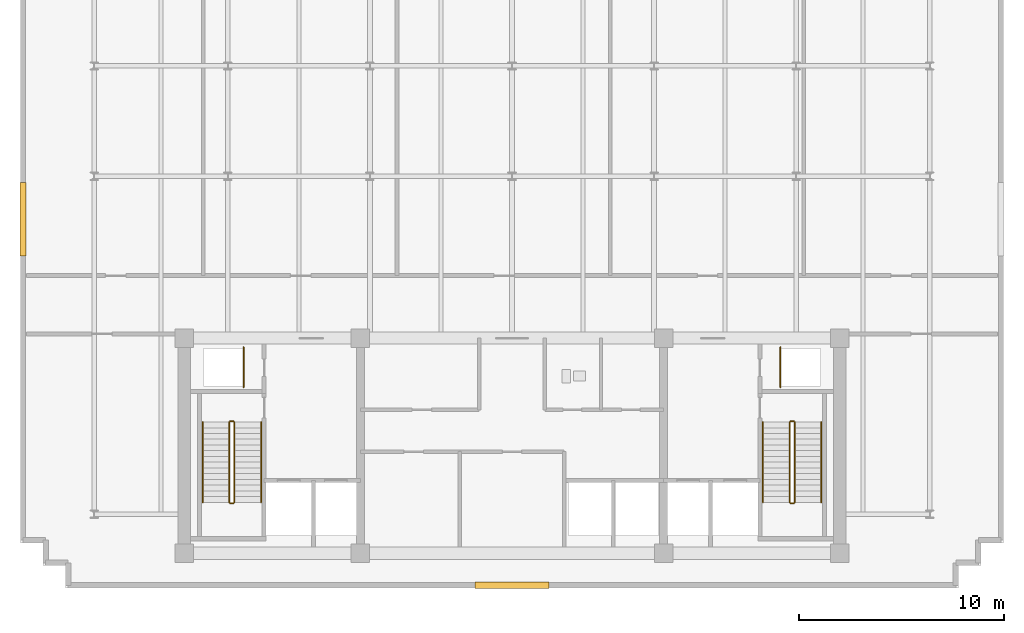
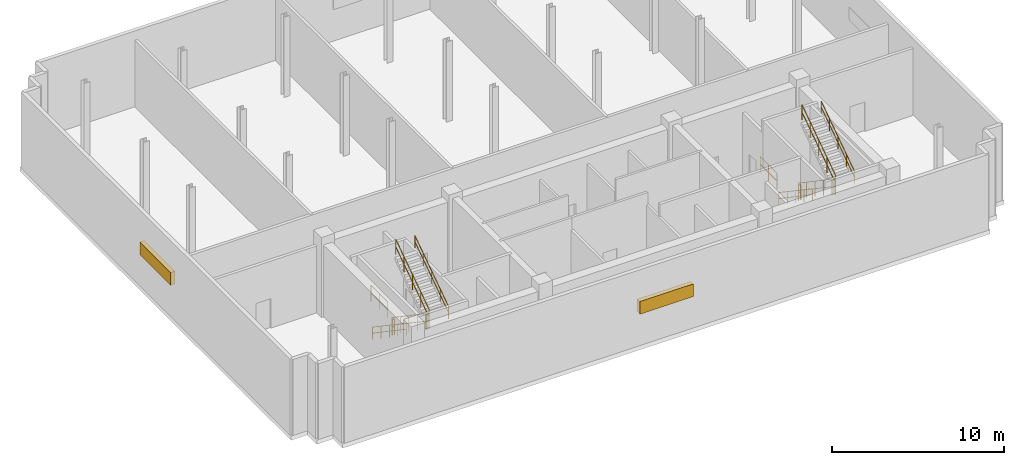
# One storey, part 5 of 7: 14 railings, 2 shading devices.
"""IFC4 building model written with IfcOpenShell, lengths in metres."""

from ifc_helpers import new_model, si_unit, direction, frame, origin, origin_2d, place, context, subcontext, project, spatial, rectangle, circle, extrude, material, layer, layer_set, type_object, element, save


model = new_model("IFC4")

# Units and contexts
model_context = context("Model", 3, precision=1e-05, world=origin(), true_north=direction((0.0, 1.0)))
body_context = subcontext(model_context, "Body", "Model", "MODEL_VIEW")
ifc_project = project(units=[si_unit("LENGTHUNIT", "METRE"), si_unit("AREAUNIT", "SQUARE_METRE"), si_unit("VOLUMEUNIT", "CUBIC_METRE"), si_unit("PLANEANGLEUNIT", "RADIAN"), si_unit("MASSUNIT", "GRAM", prefix="KILO")], contexts=[model_context])

# Site, building, storey
site_placement = place(None, origin())
site = spatial("IfcSite", under=ifc_project, at=site_placement, CompositionType="ELEMENT")
building_placement = place(site_placement, origin())
building = spatial("IfcBuilding", under=site, at=building_placement, Name="Solmavex Isthmus Hotel", CompositionType="ELEMENT")
storey_placement = place(building_placement, frame((0.0, 0.0, 291.300048828125)))
storey = spatial("IfcBuildingStorey", under=building, at=storey_placement, Name="L79", CompositionType="ELEMENT", Elevation=291.300048828125)

# Railings
ifc_material_1 = material(Name="Clear low-E laminated glass", Category="glass")
ifc_layer_1 = layer(ifc_material_1, 0.080078125)
ifc_layer_set_1 = layer_set([ifc_layer_1], Name="Clear low-E laminated glass")
railing_type_1 = type_object("IfcRailingType", Name="RAIL-ATRIUM-1120", PredefinedType="BALUSTRADE", material=ifc_layer_set_1)
for number, where, name in (
    (1, (-13.10009765625, -4.89990234375, 0.0), "Guardrail Balustrade L79-RSW-01"),
    (2, (13.10009765625, -4.89990234375, 0.0), "Guardrail Balustrade L79-RSE-01"),
):
    element("IfcRailing", number, at=place(storey_placement, frame(where)), inside=storey, type_object=railing_type_1, Name=name, PredefinedType="BALUSTRADE", context=body_context, shape_type="SweptSolid", body=[
        extrude(circle(Radius=0.02392578125, at=origin_2d()), frame((0.0, 0.0, 1.1259765625), z_axis=(0.0, 1.0, 0.0), x_axis=(-1.0, 0.0, 0.0)), (0.0, 0.0, 1.0), 1.949951171875),
        extrude(circle(Radius=0.02392578125, at=origin_2d()), frame((0.0, 0.0, 0.574951171875), z_axis=(0.0, 1.0, 0.0), x_axis=(-1.0, 0.0, 0.0)), (0.0, 0.0, 1.0), 1.949951171875),
        extrude(circle(Radius=0.02099609375, at=origin_2d()), origin(), (0.0, 0.0, 1.0), 1.101806640625),
        extrude(circle(Radius=0.02099609375, at=origin_2d()), frame((0.0, 0.97509765625, 0.0)), (0.0, 0.0, 1.0), 1.101806640625),
        extrude(circle(Radius=0.02099609375, at=origin_2d()), frame((0.0, 1.949951171875, 0.0)), (0.0, 0.0, 1.0), 1.101806640625),
    ])
ifc_material_2 = material(Name="Stainless steel 316", Category="steel")
ifc_layer_2 = layer(ifc_material_2, 0.06005859375)
ifc_layer_set_2 = layer_set([ifc_layer_2], Name="Stainless steel 316")
railing_type_2 = type_object("IfcRailingType", Name="RAIL-STAIR-GD", PredefinedType="GUARDRAIL", material=ifc_layer_set_2)
railing_1_placement = place(storey_placement, frame((-13.800048828125, -6.60009765625, 0.18994140625)))
element("IfcRailing", 3, at=railing_1_placement, inside=storey, type_object=railing_type_2, Name="L79 ST-1 stair guard 1", PredefinedType="GUARDRAIL", context=body_context, shape_type="SweptSolid", body=[
    extrude(circle(Radius=0.02392578125, at=origin_2d()), frame((0.0, 0.0, 1.09619140625), z_axis=(0.0, -0.827479195178, 0.561496377146), x_axis=(1.0, 0.0, 0.0)), (0.0, 0.0, 1.0), 4.7373046875),
    extrude(circle(Radius=0.02392578125, at=origin_2d()), frame((0.0, 0.0, 0.56005859375), z_axis=(0.0, -0.827479195178, 0.561496377146), x_axis=(1.0, 0.0, 0.0)), (0.0, 0.0, 1.0), 4.7373046875),
    extrude(circle(Radius=0.02099609375, at=origin_2d()), origin(), (0.0, 0.0, 1.0), 1.072021484375),
    extrude(circle(Radius=0.02099609375, at=origin_2d()), frame((0.0, -0.97998046875, 0.6650390625)), (0.0, 0.0, 1.0), 1.072021484375),
    extrude(circle(Radius=0.02099609375, at=origin_2d()), frame((0.0, -1.9599609375, 1.330078125)), (0.0, 0.0, 1.0), 1.072021484375),
    extrude(circle(Radius=0.02099609375, at=origin_2d()), frame((0.0, -2.93994140625, 1.994873046875)), (0.0, 0.0, 1.0), 1.072021484375),
    extrude(circle(Radius=0.02099609375, at=origin_2d()), frame((0.0, -3.919921875, 2.659912109375)), (0.0, 0.0, 1.0), 1.072021484375),
])
railing_2_placement = place(storey_placement, frame((-13.75, -10.570068359375, 2.849853515625)))
element("IfcRailing", 4, at=railing_2_placement, inside=storey, type_object=railing_type_2, Name="L79 ST-1 stair guard 2", PredefinedType="GUARDRAIL", context=body_context, shape_type="SweptSolid", body=[
    extrude(circle(Radius=0.02392578125, at=origin_2d()), frame((0.0, 0.0, 1.09619140625), z_axis=(1.0, 0.0, 0.0), x_axis=(0.0, 1.0, 0.0)), (0.0, 0.0, 1.0), 0.14990234375),
    extrude(circle(Radius=0.02392578125, at=origin_2d()), frame((0.0, 0.0, 0.56005859375), z_axis=(1.0, 0.0, 0.0), x_axis=(0.0, 1.0, 0.0)), (0.0, 0.0, 1.0), 0.14990234375),
    extrude(circle(Radius=0.02099609375, at=origin_2d()), origin(), (0.0, 0.0, 1.0), 1.072021484375),
    extrude(circle(Radius=0.02099609375, at=origin_2d()), frame((0.14990234375, 0.0, 0.0)), (0.0, 0.0, 1.0), 1.072021484375),
])
railing_3_placement = place(storey_placement, frame((-13.550048828125, -10.52001953125, 3.0400390625)))
element("IfcRailing", 5, at=railing_3_placement, inside=storey, type_object=railing_type_2, Name="L79 ST-1 stair guard 3", PredefinedType="GUARDRAIL", context=body_context, shape_type="SweptSolid", body=[
    extrude(circle(Radius=0.02392578125, at=origin_2d()), frame((0.0, 0.0, 1.09619140625), z_axis=(0.0, 0.827479195178, 0.561496377146), x_axis=(-1.0, 0.0, 0.0)), (0.0, 0.0, 1.0), 4.7373046875),
    extrude(circle(Radius=0.02392578125, at=origin_2d()), frame((0.0, 0.0, 0.56005859375), z_axis=(0.0, 0.827479195178, 0.561496377146), x_axis=(-1.0, 0.0, 0.0)), (0.0, 0.0, 1.0), 4.7373046875),
    extrude(circle(Radius=0.02099609375, at=origin_2d()), origin(), (0.0, 0.0, 1.0), 1.072021484375),
    extrude(circle(Radius=0.02099609375, at=origin_2d()), frame((0.0, 0.97998046875, 0.6650390625)), (0.0, 0.0, 1.0), 1.072021484375),
    extrude(circle(Radius=0.02099609375, at=origin_2d()), frame((0.0, 1.9599609375, 1.330078125)), (0.0, 0.0, 1.0), 1.072021484375),
    extrude(circle(Radius=0.02099609375, at=origin_2d()), frame((0.0, 2.93994140625, 1.994873046875)), (0.0, 0.0, 1.0), 1.072021484375),
    extrude(circle(Radius=0.02099609375, at=origin_2d()), frame((0.0, 3.919921875, 2.659912109375)), (0.0, 0.0, 1.0), 1.072021484375),
])
railing_4_placement = place(storey_placement, frame((-13.75, -6.550048828125, 0.0)))
element("IfcRailing", 6, at=railing_4_placement, inside=storey, type_object=railing_type_2, Name="L79 ST-1 stair guard 4", PredefinedType="GUARDRAIL", context=body_context, shape_type="SweptSolid", body=[
    extrude(circle(Radius=0.02392578125, at=origin_2d()), frame((0.0, 0.0, 1.09619140625), z_axis=(1.0, 0.0, 0.0), x_axis=(0.0, 1.0, 0.0)), (0.0, 0.0, 1.0), 0.14990234375),
    extrude(circle(Radius=0.02392578125, at=origin_2d()), frame((0.0, 0.0, 0.56005859375), z_axis=(1.0, 0.0, 0.0), x_axis=(0.0, 1.0, 0.0)), (0.0, 0.0, 1.0), 0.14990234375),
    extrude(circle(Radius=0.02099609375, at=origin_2d()), origin(), (0.0, 0.0, 1.0), 1.072021484375),
    extrude(circle(Radius=0.02099609375, at=origin_2d()), frame((0.14990234375, 0.0, 0.0)), (0.0, 0.0, 1.0), 1.072021484375),
])
railing_5_placement = place(storey_placement, frame((13.550048828125, -6.60009765625, 0.18994140625)))
element("IfcRailing", 7, at=railing_5_placement, inside=storey, type_object=railing_type_2, Name="L79 ST-2 stair guard 1", PredefinedType="GUARDRAIL", context=body_context, shape_type="SweptSolid", body=[
    extrude(circle(Radius=0.02392578125, at=origin_2d()), frame((0.0, 0.0, 1.09619140625), z_axis=(0.0, -0.827479195178, 0.561496377146), x_axis=(1.0, 0.0, 0.0)), (0.0, 0.0, 1.0), 4.7373046875),
    extrude(circle(Radius=0.02392578125, at=origin_2d()), frame((0.0, 0.0, 0.56005859375), z_axis=(0.0, -0.827479195178, 0.561496377146), x_axis=(1.0, 0.0, 0.0)), (0.0, 0.0, 1.0), 4.7373046875),
    extrude(circle(Radius=0.02099609375, at=origin_2d()), origin(), (0.0, 0.0, 1.0), 1.072021484375),
    extrude(circle(Radius=0.02099609375, at=origin_2d()), frame((0.0, -0.97998046875, 0.6650390625)), (0.0, 0.0, 1.0), 1.072021484375),
    extrude(circle(Radius=0.02099609375, at=origin_2d()), frame((0.0, -1.9599609375, 1.330078125)), (0.0, 0.0, 1.0), 1.072021484375),
    extrude(circle(Radius=0.02099609375, at=origin_2d()), frame((0.0, -2.93994140625, 1.994873046875)), (0.0, 0.0, 1.0), 1.072021484375),
    extrude(circle(Radius=0.02099609375, at=origin_2d()), frame((0.0, -3.919921875, 2.659912109375)), (0.0, 0.0, 1.0), 1.072021484375),
])
railing_6_placement = place(storey_placement, frame((13.60009765625, -10.570068359375, 2.849853515625)))
element("IfcRailing", 8, at=railing_6_placement, inside=storey, type_object=railing_type_2, Name="L79 ST-2 stair guard 2", PredefinedType="GUARDRAIL", context=body_context, shape_type="SweptSolid", body=[
    extrude(circle(Radius=0.02392578125, at=origin_2d()), frame((0.0, 0.0, 1.09619140625), z_axis=(1.0, 0.0, 0.0), x_axis=(0.0, 1.0, 0.0)), (0.0, 0.0, 1.0), 0.14990234375),
    extrude(circle(Radius=0.02392578125, at=origin_2d()), frame((0.0, 0.0, 0.56005859375), z_axis=(1.0, 0.0, 0.0), x_axis=(0.0, 1.0, 0.0)), (0.0, 0.0, 1.0), 0.14990234375),
    extrude(circle(Radius=0.02099609375, at=origin_2d()), origin(), (0.0, 0.0, 1.0), 1.072021484375),
    extrude(circle(Radius=0.02099609375, at=origin_2d()), frame((0.14990234375, 0.0, 0.0)), (0.0, 0.0, 1.0), 1.072021484375),
])
railing_7_placement = place(storey_placement, frame((13.800048828125, -10.52001953125, 3.0400390625)))
element("IfcRailing", 9, at=railing_7_placement, inside=storey, type_object=railing_type_2, Name="L79 ST-2 stair guard 3", PredefinedType="GUARDRAIL", context=body_context, shape_type="SweptSolid", body=[
    extrude(circle(Radius=0.02392578125, at=origin_2d()), frame((0.0, 0.0, 1.09619140625), z_axis=(0.0, 0.827479195178, 0.561496377146), x_axis=(-1.0, 0.0, 0.0)), (0.0, 0.0, 1.0), 4.7373046875),
    extrude(circle(Radius=0.02392578125, at=origin_2d()), frame((0.0, 0.0, 0.56005859375), z_axis=(0.0, 0.827479195178, 0.561496377146), x_axis=(-1.0, 0.0, 0.0)), (0.0, 0.0, 1.0), 4.7373046875),
    extrude(circle(Radius=0.02099609375, at=origin_2d()), origin(), (0.0, 0.0, 1.0), 1.072021484375),
    extrude(circle(Radius=0.02099609375, at=origin_2d()), frame((0.0, 0.97998046875, 0.6650390625)), (0.0, 0.0, 1.0), 1.072021484375),
    extrude(circle(Radius=0.02099609375, at=origin_2d()), frame((0.0, 1.9599609375, 1.330078125)), (0.0, 0.0, 1.0), 1.072021484375),
    extrude(circle(Radius=0.02099609375, at=origin_2d()), frame((0.0, 2.93994140625, 1.994873046875)), (0.0, 0.0, 1.0), 1.072021484375),
    extrude(circle(Radius=0.02099609375, at=origin_2d()), frame((0.0, 3.919921875, 2.659912109375)), (0.0, 0.0, 1.0), 1.072021484375),
])
railing_8_placement = place(storey_placement, frame((13.60009765625, -6.550048828125, 0.0)))
element("IfcRailing", 10, at=railing_8_placement, inside=storey, type_object=railing_type_2, Name="L79 ST-2 stair guard 4", PredefinedType="GUARDRAIL", context=body_context, shape_type="SweptSolid", body=[
    extrude(circle(Radius=0.02392578125, at=origin_2d()), frame((0.0, 0.0, 1.09619140625), z_axis=(1.0, 0.0, 0.0), x_axis=(0.0, 1.0, 0.0)), (0.0, 0.0, 1.0), 0.14990234375),
    extrude(circle(Radius=0.02392578125, at=origin_2d()), frame((0.0, 0.0, 0.56005859375), z_axis=(1.0, 0.0, 0.0), x_axis=(0.0, 1.0, 0.0)), (0.0, 0.0, 1.0), 0.14990234375),
    extrude(circle(Radius=0.02099609375, at=origin_2d()), origin(), (0.0, 0.0, 1.0), 1.072021484375),
    extrude(circle(Radius=0.02099609375, at=origin_2d()), frame((0.14990234375, 0.0, 0.0)), (0.0, 0.0, 1.0), 1.072021484375),
])
ifc_layer_3 = layer(ifc_material_2, 0.050048828125)
ifc_layer_set_3 = layer_set([ifc_layer_3], Name="Stainless steel 316")
railing_type_3 = type_object("IfcRailingType", Name="RAIL-STAIR-HR", PredefinedType="HANDRAIL", material=ifc_layer_set_3)
railing_9_placement = place(storey_placement, frame((-15.10009765625, -6.60009765625, 0.18994140625)))
element("IfcRailing", 11, at=railing_9_placement, inside=storey, type_object=railing_type_3, Name="L79 ST-1 stair handrail 1", PredefinedType="HANDRAIL", context=body_context, shape_type="SweptSolid", body=[
    extrude(circle(Radius=0.02392578125, at=origin_2d()), frame((0.0, 0.0, 0.8759765625), z_axis=(0.0, -0.827479195178, 0.561496377146), x_axis=(1.0, 0.0, 0.0)), (0.0, 0.0, 1.0), 4.7373046875),
    extrude(circle(Radius=0.02392578125, at=origin_2d()), frame((0.0, 0.0, 0.449951171875), z_axis=(0.0, -0.827479195178, 0.561496377146), x_axis=(1.0, 0.0, 0.0)), (0.0, 0.0, 1.0), 4.7373046875),
    extrude(circle(Radius=0.02099609375, at=origin_2d()), origin(), (0.0, 0.0, 1.0), 0.851806640625),
    extrude(circle(Radius=0.02099609375, at=origin_2d()), frame((0.0, -0.97998046875, 0.6650390625)), (0.0, 0.0, 1.0), 0.851806640625),
    extrude(circle(Radius=0.02099609375, at=origin_2d()), frame((0.0, -1.9599609375, 1.330078125)), (0.0, 0.0, 1.0), 0.851806640625),
    extrude(circle(Radius=0.02099609375, at=origin_2d()), frame((0.0, -2.93994140625, 1.994873046875)), (0.0, 0.0, 1.0), 0.851806640625),
    extrude(circle(Radius=0.02099609375, at=origin_2d()), frame((0.0, -3.919921875, 2.659912109375)), (0.0, 0.0, 1.0), 0.851806640625),
])
railing_10_placement = place(storey_placement, frame((-12.25, -10.52001953125, 3.0400390625)))
element("IfcRailing", 12, at=railing_10_placement, inside=storey, type_object=railing_type_3, Name="L79 ST-1 stair handrail 2", PredefinedType="HANDRAIL", context=body_context, shape_type="SweptSolid", body=[
    extrude(circle(Radius=0.02392578125, at=origin_2d()), frame((0.0, 0.0, 0.8759765625), z_axis=(0.0, 0.827479195178, 0.561496377146), x_axis=(-1.0, 0.0, 0.0)), (0.0, 0.0, 1.0), 4.7373046875),
    extrude(circle(Radius=0.02392578125, at=origin_2d()), frame((0.0, 0.0, 0.449951171875), z_axis=(0.0, 0.827479195178, 0.561496377146), x_axis=(-1.0, 0.0, 0.0)), (0.0, 0.0, 1.0), 4.7373046875),
    extrude(circle(Radius=0.02099609375, at=origin_2d()), origin(), (0.0, 0.0, 1.0), 0.851806640625),
    extrude(circle(Radius=0.02099609375, at=origin_2d()), frame((0.0, 0.97998046875, 0.6650390625)), (0.0, 0.0, 1.0), 0.851806640625),
    extrude(circle(Radius=0.02099609375, at=origin_2d()), frame((0.0, 1.9599609375, 1.330078125)), (0.0, 0.0, 1.0), 0.851806640625),
    extrude(circle(Radius=0.02099609375, at=origin_2d()), frame((0.0, 2.93994140625, 1.994873046875)), (0.0, 0.0, 1.0), 0.851806640625),
    extrude(circle(Radius=0.02099609375, at=origin_2d()), frame((0.0, 3.919921875, 2.659912109375)), (0.0, 0.0, 1.0), 0.851806640625),
])
railing_11_placement = place(storey_placement, frame((12.25, -6.60009765625, 0.18994140625)))
element("IfcRailing", 13, at=railing_11_placement, inside=storey, type_object=railing_type_3, Name="L79 ST-2 stair handrail 1", PredefinedType="HANDRAIL", context=body_context, shape_type="SweptSolid", body=[
    extrude(circle(Radius=0.02392578125, at=origin_2d()), frame((0.0, 0.0, 0.8759765625), z_axis=(0.0, -0.827479195178, 0.561496377146), x_axis=(1.0, 0.0, 0.0)), (0.0, 0.0, 1.0), 4.7373046875),
    extrude(circle(Radius=0.02392578125, at=origin_2d()), frame((0.0, 0.0, 0.449951171875), z_axis=(0.0, -0.827479195178, 0.561496377146), x_axis=(1.0, 0.0, 0.0)), (0.0, 0.0, 1.0), 4.7373046875),
    extrude(circle(Radius=0.02099609375, at=origin_2d()), origin(), (0.0, 0.0, 1.0), 0.851806640625),
    extrude(circle(Radius=0.02099609375, at=origin_2d()), frame((0.0, -0.97998046875, 0.6650390625)), (0.0, 0.0, 1.0), 0.851806640625),
    extrude(circle(Radius=0.02099609375, at=origin_2d()), frame((0.0, -1.9599609375, 1.330078125)), (0.0, 0.0, 1.0), 0.851806640625),
    extrude(circle(Radius=0.02099609375, at=origin_2d()), frame((0.0, -2.93994140625, 1.994873046875)), (0.0, 0.0, 1.0), 0.851806640625),
    extrude(circle(Radius=0.02099609375, at=origin_2d()), frame((0.0, -3.919921875, 2.659912109375)), (0.0, 0.0, 1.0), 0.851806640625),
])
railing_12_placement = place(storey_placement, frame((15.10009765625, -10.52001953125, 3.0400390625)))
element("IfcRailing", 14, at=railing_12_placement, inside=storey, type_object=railing_type_3, Name="L79 ST-2 stair handrail 2", PredefinedType="HANDRAIL", context=body_context, shape_type="SweptSolid", body=[
    extrude(circle(Radius=0.02392578125, at=origin_2d()), frame((0.0, 0.0, 0.8759765625), z_axis=(0.0, 0.827479195178, 0.561496377146), x_axis=(-1.0, 0.0, 0.0)), (0.0, 0.0, 1.0), 4.7373046875),
    extrude(circle(Radius=0.02392578125, at=origin_2d()), frame((0.0, 0.0, 0.449951171875), z_axis=(0.0, 0.827479195178, 0.561496377146), x_axis=(-1.0, 0.0, 0.0)), (0.0, 0.0, 1.0), 4.7373046875),
    extrude(circle(Radius=0.02099609375, at=origin_2d()), origin(), (0.0, 0.0, 1.0), 0.851806640625),
    extrude(circle(Radius=0.02099609375, at=origin_2d()), frame((0.0, 0.97998046875, 0.6650390625)), (0.0, 0.0, 1.0), 0.851806640625),
    extrude(circle(Radius=0.02099609375, at=origin_2d()), frame((0.0, 1.9599609375, 1.330078125)), (0.0, 0.0, 1.0), 0.851806640625),
    extrude(circle(Radius=0.02099609375, at=origin_2d()), frame((0.0, 2.93994140625, 1.994873046875)), (0.0, 0.0, 1.0), 0.851806640625),
    extrude(circle(Radius=0.02099609375, at=origin_2d()), frame((0.0, 3.919921875, 2.659912109375)), (0.0, 0.0, 1.0), 0.851806640625),
])

# Shading devices
ifc_material_3 = material(Name="Aluminium alloy 6063-T6", Category="aluminium")
shading_device_type = type_object("IfcShadingDeviceType", Name="SHD-LOUVRE-BOX", PredefinedType="JALOUSIE", material=ifc_material_3)
for number, where, z_axis, x_axis, name in (
    (15, (0.0, -14.570068359375, 2.25), (0.0, 0.0, 1.0), (-1.0, 0.0, 0.0), "Acoustic Intake Louvre Screen L79-01"),
    (16, (-23.8701171875, 3.300048828125, 2.25), (0.0, 0.0, 1.0), (0.0, 1.0, 0.0), "Acoustic Intake Louvre Screen L79-06"),
):
    element("IfcShadingDevice", number, at=place(storey_placement, frame(where, z_axis=z_axis, x_axis=x_axis)), inside=storey, type_object=shading_device_type, Name=name, PredefinedType="JALOUSIE", context=body_context, shape_type="SweptSolid", body=[
        extrude(rectangle(XDim=3.60009765625, YDim=0.300048828125, at=origin_2d()), origin(), (0.0, 0.0, 1.0), 0.89990234375),
    ])

save(model, "model.ifc")
